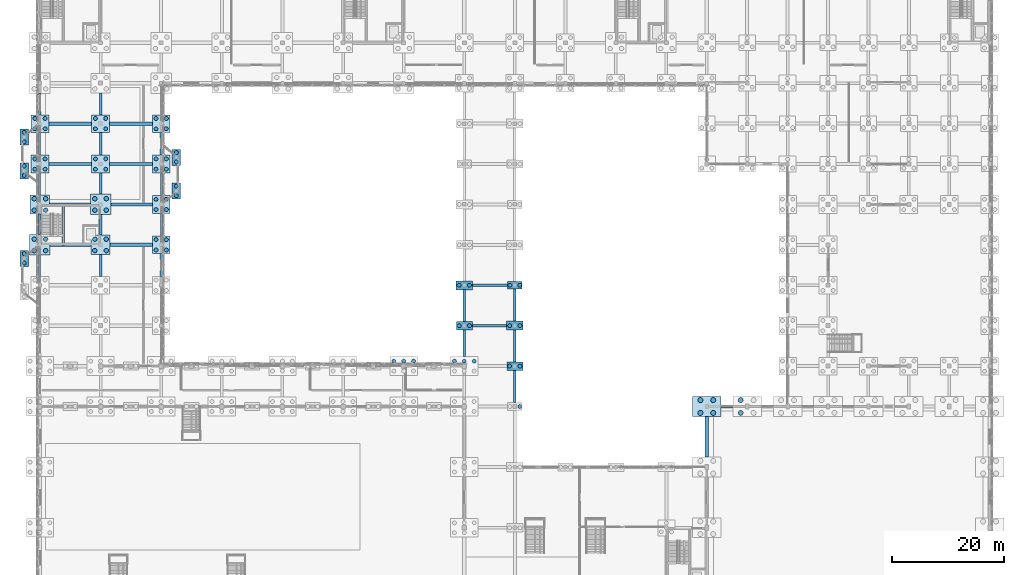
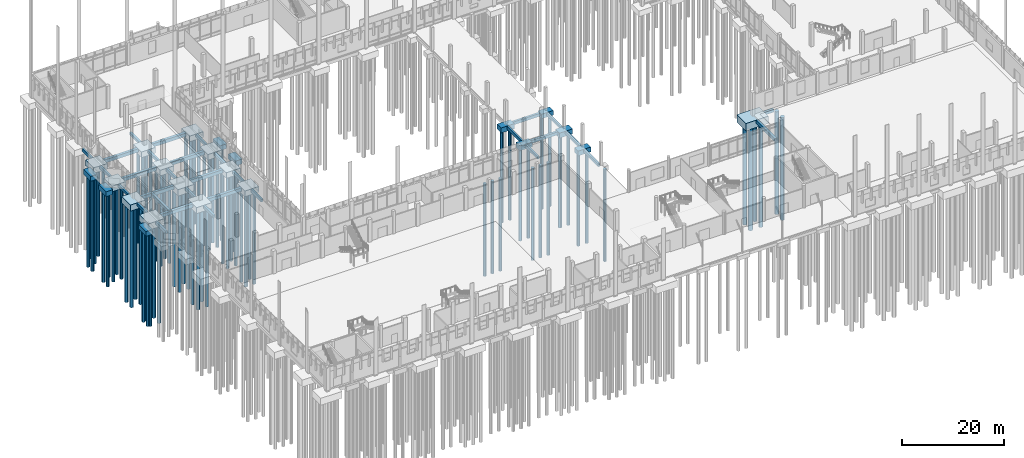
# One storey, part 4 of 109: 81 piles, 55 footings.
"""IFC4 building model written with IfcOpenShell, lengths in metres."""

from ifc_helpers import new_model, si_unit, direction, frame, origin, origin_2d, place, context, subcontext, project, spatial, rectangle, circle, extrude, material, material_profile, profile_set, type_object, element, save


model = new_model("IFC4")

# Units and contexts
model_context = context("Model", 3, precision=1e-05, world=origin(), true_north=direction((0.0, 1.0)))
body_context = subcontext(model_context, "Body", "Model", "MODEL_VIEW")
ifc_project = project(units=[si_unit("LENGTHUNIT", "METRE"), si_unit("AREAUNIT", "SQUARE_METRE"), si_unit("VOLUMEUNIT", "CUBIC_METRE"), si_unit("PLANEANGLEUNIT", "RADIAN"), si_unit("MASSUNIT", "GRAM", prefix="KILO")], contexts=[model_context])

# Site, building, storey
site_placement = place(None, origin())
site = spatial("IfcSite", under=ifc_project, at=site_placement, CompositionType="ELEMENT")
building_placement = place(site_placement, origin())
building = spatial("IfcBuilding", under=site, at=building_placement, Name="Lusvemor Sports Hall", CompositionType="ELEMENT")
storey_placement = place(building_placement, origin())
storey = spatial("IfcBuildingStorey", under=building, at=storey_placement, Name="L00", CompositionType="ELEMENT", Elevation=0.0)

# Footings
ifc_material_1 = material(Name="Concrete C40/50", Category="concrete")
ifc_material_profile_1 = material_profile(ifc_material_1, rectangle(XDim=0.449951171875, YDim=0.64990234375, at=origin_2d()), Name="GB_450x650")
ifc_profile_set_1 = profile_set([ifc_material_profile_1], Name="Concrete C40/50")
footing_type_1 = type_object("IfcFootingType", Name="GBEAM_450x650", PredefinedType="FOOTING_BEAM", material=ifc_profile_set_1)
footing_1_placement = place(storey_placement, frame((0.0, 62.77294921875, -0.625), z_axis=(0.0, 1.0, 0.0), x_axis=(-1.0, 0.0, 0.0)))
element("IfcFooting", 1, at=footing_1_placement, inside=storey, type_object=footing_type_1, Name="Ground Tie Beam 1:H-J", PredefinedType="FOOTING_BEAM", context=body_context, shape_type="SweptSolid", body=[
    extrude(rectangle(XDim=0.449951171875, YDim=0.64990234375, at=origin_2d()), origin(), (0.0, 0.0, 1.0), 3.803955078125),
])
footing_2_placement = place(storey_placement, frame((0.0, 70.222900390625, -0.625), z_axis=(0.0, 1.0, 0.0), x_axis=(-1.0, 0.0, 0.0)))
element("IfcFooting", 2, at=footing_2_placement, inside=storey, type_object=footing_type_1, Name="Ground Tie Beam 1:J-K", PredefinedType="FOOTING_BEAM", context=body_context, shape_type="SweptSolid", body=[
    extrude(rectangle(XDim=0.449951171875, YDim=0.64990234375, at=origin_2d()), origin(), (0.0, 0.0, 1.0), 3.654052734375),
])
footing_3_placement = place(storey_placement, frame((0.0, 77.322998046875, -0.625), z_axis=(0.0, 1.0, 0.0), x_axis=(-1.0, 0.0, 0.0)))
element("IfcFooting", 3, at=footing_3_placement, inside=storey, type_object=footing_type_1, Name="Ground Tie Beam 1:K-L", PredefinedType="FOOTING_BEAM", context=body_context, shape_type="SweptSolid", body=[
    extrude(rectangle(XDim=0.449951171875, YDim=0.64990234375, at=origin_2d()), origin(), (0.0, 0.0, 1.0), 3.904052734375),
])
footing_4_placement = place(storey_placement, frame((0.0, 84.373046875, -0.625), z_axis=(0.0, 1.0, 0.0), x_axis=(-1.0, 0.0, 0.0)))
element("IfcFooting", 4, at=footing_4_placement, inside=storey, type_object=footing_type_1, Name="Ground Tie Beam 1:L-M", PredefinedType="FOOTING_BEAM", context=body_context, shape_type="SweptSolid", body=[
    extrude(rectangle(XDim=0.449951171875, YDim=0.64990234375, at=origin_2d()), origin(), (0.0, 0.0, 1.0), 4.053955078125),
])
footing_5_placement = place(storey_placement, frame((0.0, 91.572998046875, -0.625), z_axis=(0.0, 1.0, 0.0), x_axis=(-1.0, 0.0, 0.0)))
element("IfcFooting", 5, at=footing_5_placement, inside=storey, type_object=footing_type_1, Name="Ground Tie Beam 1:M-N", PredefinedType="FOOTING_BEAM", context=body_context, shape_type="SweptSolid", body=[
    extrude(rectangle(XDim=0.449951171875, YDim=0.64990234375, at=origin_2d()), origin(), (0.0, 0.0, 1.0), 3.803955078125),
])
footing_6_placement = place(storey_placement, frame((10.800048828125, 62.77294921875, -0.625), z_axis=(0.0, 1.0, 0.0), x_axis=(-1.0, 0.0, 0.0)))
element("IfcFooting", 6, at=footing_6_placement, inside=storey, type_object=footing_type_1, Name="Ground Tie Beam 2:H-J", PredefinedType="FOOTING_BEAM", context=body_context, shape_type="SweptSolid", body=[
    extrude(rectangle(XDim=0.449951171875, YDim=0.64990234375, at=origin_2d()), origin(), (0.0, 0.0, 1.0), 3.904052734375),
])
footing_7_placement = place(storey_placement, frame((10.800048828125, 70.123046875, -0.625), z_axis=(0.0, 1.0, 0.0), x_axis=(-1.0, 0.0, 0.0)))
element("IfcFooting", 7, at=footing_7_placement, inside=storey, type_object=footing_type_1, Name="Ground Tie Beam 2:J-K", PredefinedType="FOOTING_BEAM", context=body_context, shape_type="SweptSolid", body=[
    extrude(rectangle(XDim=0.449951171875, YDim=0.64990234375, at=origin_2d()), origin(), (0.0, 0.0, 1.0), 3.654052734375),
])
footing_8_placement = place(storey_placement, frame((10.800048828125, 77.423095703125, -0.625), z_axis=(0.0, 1.0, 0.0), x_axis=(-1.0, 0.0, 0.0)))
element("IfcFooting", 8, at=footing_8_placement, inside=storey, type_object=footing_type_1, Name="Ground Tie Beam 2:K-L", PredefinedType="FOOTING_BEAM", context=body_context, shape_type="SweptSolid", body=[
    extrude(rectangle(XDim=0.449951171875, YDim=0.64990234375, at=origin_2d()), origin(), (0.0, 0.0, 1.0), 3.803955078125),
])
footing_9_placement = place(storey_placement, frame((10.800048828125, 84.373046875, -0.625), z_axis=(0.0, 1.0, 0.0), x_axis=(-1.0, 0.0, 0.0)))
element("IfcFooting", 9, at=footing_9_placement, inside=storey, type_object=footing_type_1, Name="Ground Tie Beam 2:L-M", PredefinedType="FOOTING_BEAM", context=body_context, shape_type="SweptSolid", body=[
    extrude(rectangle(XDim=0.449951171875, YDim=0.64990234375, at=origin_2d()), origin(), (0.0, 0.0, 1.0), 4.053955078125),
])
footing_10_placement = place(storey_placement, frame((10.800048828125, 91.572998046875, -0.625), z_axis=(0.0, 1.0, 0.0), x_axis=(-1.0, 0.0, 0.0)))
element("IfcFooting", 10, at=footing_10_placement, inside=storey, type_object=footing_type_1, Name="Ground Tie Beam 2:M-N", PredefinedType="FOOTING_BEAM", context=body_context, shape_type="SweptSolid", body=[
    extrude(rectangle(XDim=0.449951171875, YDim=0.64990234375, at=origin_2d()), origin(), (0.0, 0.0, 1.0), 3.904052734375),
])
footing_11_placement = place(storey_placement, frame((21.60009765625, 62.77294921875, -0.625), z_axis=(0.0, 1.0, 0.0), x_axis=(-1.0, 0.0, 0.0)))
element("IfcFooting", 11, at=footing_11_placement, inside=storey, type_object=footing_type_1, Name="Ground Tie Beam 3:H-J", PredefinedType="FOOTING_BEAM", context=body_context, shape_type="SweptSolid", body=[
    extrude(rectangle(XDim=0.449951171875, YDim=0.64990234375, at=origin_2d()), origin(), (0.0, 0.0, 1.0), 4.053955078125),
])
footing_12_placement = place(storey_placement, frame((21.60009765625, 69.972900390625, -0.625), z_axis=(0.0, 1.0, 0.0), x_axis=(-1.0, 0.0, 0.0)))
element("IfcFooting", 12, at=footing_12_placement, inside=storey, type_object=footing_type_1, Name="Ground Tie Beam 3:J-K", PredefinedType="FOOTING_BEAM", context=body_context, shape_type="SweptSolid", body=[
    extrude(rectangle(XDim=0.449951171875, YDim=0.64990234375, at=origin_2d()), origin(), (0.0, 0.0, 1.0), 4.05419921875),
])
for number, where, z_axis, x_axis, name in (
    (13, (21.60009765625, 77.173095703125, -0.625), (0.0, 1.0, 0.0), (-1.0, 0.0, 0.0), "Ground Tie Beam 3:K-L"),
    (14, (21.60009765625, 84.373046875, -0.625), (0.0, 1.0, 0.0), (-1.0, 0.0, 0.0), "Ground Tie Beam 3:L-M"),
):
    element("IfcFooting", number, at=place(storey_placement, frame(where, z_axis=z_axis, x_axis=x_axis)), inside=storey, type_object=footing_type_1, Name=name, PredefinedType="FOOTING_BEAM", context=body_context, shape_type="SweptSolid", body=[
        extrude(rectangle(XDim=0.449951171875, YDim=0.64990234375, at=origin_2d()), origin(), (0.0, 0.0, 1.0), 4.053955078125),
    ])
footing_13_placement = place(storey_placement, frame((75.60009765625, 48.472900390625, -0.625), z_axis=(0.0, 1.0, 0.0), x_axis=(-1.0, 0.0, 0.0)))
element("IfcFooting", 15, at=footing_13_placement, inside=storey, type_object=footing_type_1, Name="Ground Tie Beam 8:F-G", PredefinedType="FOOTING_BEAM", context=body_context, shape_type="SweptSolid", body=[
    extrude(rectangle(XDim=0.449951171875, YDim=0.64990234375, at=origin_2d()), origin(), (0.0, 0.0, 1.0), 4.779052734375),
])
footing_14_placement = place(storey_placement, frame((75.60009765625, 54.748046875, -0.625), z_axis=(0.0, 1.0, 0.0), x_axis=(-1.0, 0.0, 0.0)))
element("IfcFooting", 16, at=footing_14_placement, inside=storey, type_object=footing_type_1, Name="Ground Tie Beam 8:G-H", PredefinedType="FOOTING_BEAM", context=body_context, shape_type="SweptSolid", body=[
    extrude(rectangle(XDim=0.449951171875, YDim=0.64990234375, at=origin_2d()), origin(), (0.0, 0.0, 1.0), 5.654052734375),
])
footing_15_placement = place(storey_placement, frame((84.60009765625, 40.298095703125, -0.625), z_axis=(0.0, 1.0, 0.0), x_axis=(-1.0, 0.0, 0.0)))
element("IfcFooting", 17, at=footing_15_placement, inside=storey, type_object=footing_type_1, Name="Ground Tie Beam 9:E-F", PredefinedType="FOOTING_BEAM", context=body_context, shape_type="SweptSolid", body=[
    extrude(rectangle(XDim=0.449951171875, YDim=0.64990234375, at=origin_2d()), origin(), (0.0, 0.0, 1.0), 5.75390625),
])
footing_16_placement = place(storey_placement, frame((84.60009765625, 47.548095703125, -0.625), z_axis=(0.0, 1.0, 0.0), x_axis=(-1.0, 0.0, 0.0)))
element("IfcFooting", 18, at=footing_16_placement, inside=storey, type_object=footing_type_1, Name="Ground Tie Beam 9:F-G", PredefinedType="FOOTING_BEAM", context=body_context, shape_type="SweptSolid", body=[
    extrude(rectangle(XDim=0.449951171875, YDim=0.64990234375, at=origin_2d()), origin(), (0.0, 0.0, 1.0), 5.65380859375),
])
footing_17_placement = place(storey_placement, frame((84.60009765625, 54.798095703125, -0.625), z_axis=(0.0, 1.0, 0.0), x_axis=(-1.0, 0.0, 0.0)))
element("IfcFooting", 19, at=footing_17_placement, inside=storey, type_object=footing_type_1, Name="Ground Tie Beam 9:G-H", PredefinedType="FOOTING_BEAM", context=body_context, shape_type="SweptSolid", body=[
    extrude(rectangle(XDim=0.449951171875, YDim=0.64990234375, at=origin_2d()), origin(), (0.0, 0.0, 1.0), 5.703857421875),
])
ifc_material_2 = material(Name="Concrete C40/50", Category="concrete")
ifc_material_profile_2 = material_profile(ifc_material_2, rectangle(XDim=0.5, YDim=0.699951171875, at=origin_2d()), Name="GB_500x700")
ifc_profile_set_2 = profile_set([ifc_material_profile_2], Name="Concrete C40/50")
footing_type_2 = type_object("IfcFootingType", Name="GBEAM_500x700", PredefinedType="FOOTING_BEAM", material=ifc_profile_set_2)
footing_18_placement = place(storey_placement, frame((121.347900390625, 39.60009765625, -0.64990234375), z_axis=(1.0, 0.0, 0.0), x_axis=(0.0, 1.0, 0.0)))
element("IfcFooting", 20, at=footing_18_placement, inside=storey, type_object=footing_type_2, Name="Ground Tie Beam E:13-14", PredefinedType="FOOTING_BEAM", context=body_context, shape_type="SweptSolid", body=[
    extrude(rectangle(XDim=0.5, YDim=0.699951171875, at=origin_2d()), origin(), (0.0, 0.0, 1.0), 2.10400390625),
])
footing_19_placement = place(storey_placement, frame((77.02294921875, 54.0, -0.64990234375), z_axis=(1.0, 0.0, 0.0), x_axis=(0.0, 1.0, 0.0)))
element("IfcFooting", 21, at=footing_19_placement, inside=storey, type_object=footing_type_2, Name="Ground Tie Beam G:8-9", PredefinedType="FOOTING_BEAM", context=body_context, shape_type="SweptSolid", body=[
    extrude(rectangle(XDim=0.5, YDim=0.699951171875, at=origin_2d()), origin(), (0.0, 0.0, 1.0), 6.10400390625),
])
footing_20_placement = place(storey_placement, frame((77.072998046875, 61.199951171875, -0.64990234375), z_axis=(1.0, 0.0, 0.0), x_axis=(0.0, 1.0, 0.0)))
element("IfcFooting", 22, at=footing_20_placement, inside=storey, type_object=footing_type_2, Name="Ground Tie Beam H:8-9", PredefinedType="FOOTING_BEAM", context=body_context, shape_type="SweptSolid", body=[
    extrude(rectangle(XDim=0.5, YDim=0.699951171875, at=origin_2d()), origin(), (0.0, 0.0, 1.0), 6.2041015625),
])
footing_21_placement = place(storey_placement, frame((4.14990234375, 68.39990234375, -0.64990234375), z_axis=(0.0, 1.0, 0.0), x_axis=(-1.0, 0.0, 0.0)))
element("IfcFooting", 23, at=footing_21_placement, inside=storey, type_object=footing_type_2, Name="Core C3 West-Central Divider Ground Beam", PredefinedType="FOOTING_BEAM", context=body_context, shape_type="SweptSolid", body=[
    extrude(rectangle(XDim=0.5, YDim=0.699951171875, at=origin_2d()), origin(), (0.0, 0.0, 1.0), 7.2001953125),
])
ifc_material_3 = material(Name="Concrete C40/50", Category="concrete")
ifc_material_profile_3 = material_profile(ifc_material_3, rectangle(XDim=0.550048828125, YDim=0.75, at=origin_2d()), Name="GB_550x750")
ifc_profile_set_3 = profile_set([ifc_material_profile_3], Name="Concrete C40/50")
footing_type_3 = type_object("IfcFootingType", Name="GBEAM_550x750", PredefinedType="FOOTING_BEAM", material=ifc_profile_set_3)
footing_22_placement = place(storey_placement, frame((118.800048828125, 30.572998046875, -0.675048828125), z_axis=(0.0, 1.0, 0.0), x_axis=(-1.0, 0.0, 0.0)))
element("IfcFooting", 24, at=footing_22_placement, inside=storey, type_object=footing_type_3, Name="Ground Tie Beam 13:D-E", PredefinedType="FOOTING_BEAM", context=body_context, shape_type="SweptSolid", body=[
    extrude(rectangle(XDim=0.550048828125, YDim=0.75, at=origin_2d()), origin(), (0.0, 0.0, 1.0), 7.25390625),
])
ifc_material_4 = material(Name="Concrete C40/50", Category="concrete")
ifc_material_profile_4 = material_profile(ifc_material_4, rectangle(XDim=0.60009765625, YDim=0.800048828125, at=origin_2d()), Name="GB_600x800")
ifc_profile_set_4 = profile_set([ifc_material_profile_4], Name="Concrete C40/50")
footing_type_4 = type_object("IfcFootingType", Name="GBEAM_600x800", PredefinedType="FOOTING_BEAM", material=ifc_profile_set_4)
footing_23_placement = place(storey_placement, frame((1.822998046875, 68.39990234375, -0.699951171875), z_axis=(1.0, 0.0, 0.0), x_axis=(0.0, 1.0, 0.0)))
element("IfcFooting", 25, at=footing_23_placement, inside=storey, type_object=footing_type_4, Name="Ground Tie Beam J:1-2", PredefinedType="FOOTING_BEAM", context=body_context, shape_type="SweptSolid", body=[
    extrude(rectangle(XDim=0.60009765625, YDim=0.800048828125, at=origin_2d()), origin(), (0.0, 0.0, 1.0), 7.25390625),
])
footing_24_placement = place(storey_placement, frame((12.52294921875, 68.39990234375, -0.699951171875), z_axis=(1.0, 0.0, 0.0), x_axis=(0.0, 1.0, 0.0)))
element("IfcFooting", 26, at=footing_24_placement, inside=storey, type_object=footing_type_4, Name="Ground Tie Beam J:2-3", PredefinedType="FOOTING_BEAM", context=body_context, shape_type="SweptSolid", body=[
    extrude(rectangle(XDim=0.60009765625, YDim=0.800048828125, at=origin_2d()), origin(), (0.0, 0.0, 1.0), 7.504150390625),
])
footing_25_placement = place(storey_placement, frame((1.722900390625, 75.60009765625, -0.699951171875), z_axis=(1.0, 0.0, 0.0), x_axis=(0.0, 1.0, 0.0)))
element("IfcFooting", 27, at=footing_25_placement, inside=storey, type_object=footing_type_4, Name="Ground Tie Beam K:1-2", PredefinedType="FOOTING_BEAM", context=body_context, shape_type="SweptSolid", body=[
    extrude(rectangle(XDim=0.60009765625, YDim=0.800048828125, at=origin_2d()), origin(), (0.0, 0.0, 1.0), 7.254150390625),
])
footing_26_placement = place(storey_placement, frame((12.623046875, 75.60009765625, -0.699951171875), z_axis=(1.0, 0.0, 0.0), x_axis=(0.0, 1.0, 0.0)))
element("IfcFooting", 28, at=footing_26_placement, inside=storey, type_object=footing_type_4, Name="Ground Tie Beam K:2-3", PredefinedType="FOOTING_BEAM", context=body_context, shape_type="SweptSolid", body=[
    extrude(rectangle(XDim=0.60009765625, YDim=0.800048828125, at=origin_2d()), origin(), (0.0, 0.0, 1.0), 7.404052734375),
])
for number, where, z_axis, x_axis, name in (
    (29, (1.572998046875, 82.800048828125, -0.699951171875), (1.0, 0.0, 0.0), (0.0, 1.0, 0.0), "Ground Tie Beam L:1-2"),
    (30, (12.373046875, 82.800048828125, -0.699951171875), (1.0, 0.0, 0.0), (0.0, 1.0, 0.0), "Ground Tie Beam L:2-3"),
    (31, (1.572998046875, 90.0, -0.699951171875), (1.0, 0.0, 0.0), (0.0, 1.0, 0.0), "Ground Tie Beam M:1-2"),
    (32, (12.373046875, 90.0, -0.699951171875), (1.0, 0.0, 0.0), (0.0, 1.0, 0.0), "Ground Tie Beam M:2-3"),
):
    element("IfcFooting", number, at=place(storey_placement, frame(where, z_axis=z_axis, x_axis=x_axis)), inside=storey, type_object=footing_type_4, Name=name, PredefinedType="FOOTING_BEAM", context=body_context, shape_type="SweptSolid", body=[
        extrude(rectangle(XDim=0.60009765625, YDim=0.800048828125, at=origin_2d()), origin(), (0.0, 0.0, 1.0), 7.654052734375),
    ])
ifc_material_5 = material(Name="Concrete C40/50", Category="concrete")
footing_type_5 = type_object("IfcFootingType", Name="PCAP_2P_A", PredefinedType="PILE_CAP", material=ifc_material_5)
footing_27_placement = place(storey_placement, frame((84.60009765625, 61.199951171875, -1.400146484375), z_axis=(0.0, 0.0, 1.0), x_axis=(1.0, 0.0, 0.0)))
element("IfcFooting", 33, at=footing_27_placement, inside=storey, type_object=footing_type_5, Name="Pile Cap 9/H", PredefinedType="PILE_CAP", context=body_context, shape_type="SweptSolid", body=[
    extrude(rectangle(XDim=2.64990234375, YDim=1.39990234375, at=origin_2d()), origin(), (0.0, 0.0, 1.0), 1.10009765625),
])
ifc_material_6 = material(Name="Concrete C40/50", Category="concrete")
footing_type_6 = type_object("IfcFootingType", Name="PCAP_2P_B", PredefinedType="PILE_CAP", material=ifc_material_6)
for number, where, z_axis, x_axis, name in (
    (34, (75.60009765625, 54.0, -1.449951171875), (0.0, 0.0, 1.0), (1.0, 0.0, 0.0), "Pile Cap 8/G"),
    (35, (84.60009765625, 46.800048828125, -1.449951171875), (0.0, 0.0, 1.0), (1.0, 0.0, 0.0), "Pile Cap 9/F"),
):
    element("IfcFooting", number, at=place(storey_placement, frame(where, z_axis=z_axis, x_axis=x_axis)), inside=storey, type_object=footing_type_6, Name=name, PredefinedType="PILE_CAP", context=body_context, shape_type="SweptSolid", body=[
        extrude(rectangle(XDim=2.85009765625, YDim=1.5, at=origin_2d()), origin(), (0.0, 0.0, 1.0), 1.14990234375),
    ])
ifc_material_7 = material(Name="Concrete C40/50", Category="concrete")
footing_type_7 = type_object("IfcFootingType", Name="PCAP_2P_C", PredefinedType="PILE_CAP", material=ifc_material_7)
for number, where, z_axis, x_axis, name in (
    (36, (75.60009765625, 61.199951171875, -1.5), (0.0, 0.0, 1.0), (1.0, 0.0, 0.0), "Pile Cap 8/H"),
    (37, (84.60009765625, 54.0, -1.5), (0.0, 0.0, 1.0), (1.0, 0.0, 0.0), "Pile Cap 9/G"),
):
    element("IfcFooting", number, at=place(storey_placement, frame(where, z_axis=z_axis, x_axis=x_axis)), inside=storey, type_object=footing_type_7, Name=name, PredefinedType="PILE_CAP", context=body_context, shape_type="SweptSolid", body=[
        extrude(rectangle(XDim=2.949951171875, YDim=1.60009765625, at=origin_2d()), origin(), (0.0, 0.0, 1.0), 1.199951171875),
    ])
ifc_material_8 = material(Name="Concrete C40/50", Category="concrete")
footing_type_8 = type_object("IfcFootingType", Name="PCAP_2P_NS", PredefinedType="PILE_CAP", material=ifc_material_8)
for number, where, z_axis, x_axis, name in (
    (38, (-2.800048828125, 66.0, -1.449951171875), (0.0, 0.0, 1.0), (1.0, 0.0, 0.0), "Bow Pavilion Cap BOW-W1-2"),
    (39, (-2.800048828125, 81.60009765625, -1.449951171875), (0.0, 0.0, 1.0), (1.0, 0.0, 0.0), "Bow Pavilion Cap BOW-W2-1"),
    (40, (-2.800048828125, 87.60009765625, -1.449951171875), (0.0, 0.0, 1.0), (1.0, 0.0, 0.0), "Bow Pavilion Cap BOW-W2-2"),
    (41, (24.300048828125, 84.0, -1.449951171875), (0.0, 0.0, 1.0), (1.0, 0.0, 0.0), "Bow Pavilion Cap BOW-CT-1"),
    (42, (24.300048828125, 78.0, -1.449951171875), (0.0, 0.0, 1.0), (1.0, 0.0, 0.0), "Bow Pavilion Cap BOW-CT-2"),
):
    element("IfcFooting", number, at=place(storey_placement, frame(where, z_axis=z_axis, x_axis=x_axis)), inside=storey, type_object=footing_type_8, Name=name, PredefinedType="PILE_CAP", context=body_context, shape_type="SweptSolid", body=[
        extrude(rectangle(XDim=1.5, YDim=2.85009765625, at=origin_2d()), origin(), (0.0, 0.0, 1.0), 1.14990234375),
    ])
ifc_material_9 = material(Name="Concrete C40/50", Category="concrete")
footing_type_9 = type_object("IfcFootingType", Name="PCAP_4P_A", PredefinedType="PILE_CAP", material=ifc_material_9)
for number, where, z_axis, x_axis, name in (
    (43, (0.0, 82.800048828125, -1.650146484375), (0.0, 0.0, 1.0), (1.0, 0.0, 0.0), "Pile Cap 1/L"),
    (44, (0.0, 90.0, -1.650146484375), (0.0, 0.0, 1.0), (1.0, 0.0, 0.0), "Pile Cap 1/M"),
    (45, (10.800048828125, 82.800048828125, -1.650146484375), (0.0, 0.0, 1.0), (1.0, 0.0, 0.0), "Pile Cap 2/L"),
    (46, (10.800048828125, 90.0, -1.650146484375), (0.0, 0.0, 1.0), (1.0, 0.0, 0.0), "Pile Cap 2/M"),
    (47, (21.60009765625, 68.39990234375, -1.650146484375), (0.0, 0.0, 1.0), (1.0, 0.0, 0.0), "Pile Cap 3/J"),
    (48, (21.60009765625, 75.60009765625, -1.650146484375), (0.0, 0.0, 1.0), (1.0, 0.0, 0.0), "Pile Cap 3/K"),
    (49, (21.60009765625, 82.800048828125, -1.650146484375), (0.0, 0.0, 1.0), (1.0, 0.0, 0.0), "Pile Cap 3/L"),
    (50, (21.60009765625, 90.0, -1.650146484375), (0.0, 0.0, 1.0), (1.0, 0.0, 0.0), "Pile Cap 3/M"),
):
    element("IfcFooting", number, at=place(storey_placement, frame(where, z_axis=z_axis, x_axis=x_axis)), inside=storey, type_object=footing_type_9, Name=name, PredefinedType="PILE_CAP", context=body_context, shape_type="SweptSolid", body=[
        extrude(rectangle(XDim=3.14990234375, YDim=3.14990234375, at=origin_2d()), origin(), (0.0, 0.0, 1.0), 1.35009765625),
    ])
ifc_material_10 = material(Name="Concrete C40/50", Category="concrete")
footing_type_10 = type_object("IfcFootingType", Name="PCAP_4P_B", PredefinedType="PILE_CAP", material=ifc_material_10)
for number, where, z_axis, x_axis, name in (
    (51, (0.0, 75.60009765625, -1.75), (0.0, 0.0, 1.0), (1.0, 0.0, 0.0), "Pile Cap 1/K"),
    (52, (10.800048828125, 68.39990234375, -1.75), (0.0, 0.0, 1.0), (1.0, 0.0, 0.0), "Pile Cap 2/J"),
):
    element("IfcFooting", number, at=place(storey_placement, frame(where, z_axis=z_axis, x_axis=x_axis)), inside=storey, type_object=footing_type_10, Name=name, PredefinedType="PILE_CAP", context=body_context, shape_type="SweptSolid", body=[
        extrude(rectangle(XDim=3.449951171875, YDim=3.449951171875, at=origin_2d()), origin(), (0.0, 0.0, 1.0), 1.449951171875),
    ])
ifc_material_11 = material(Name="Concrete C40/50", Category="concrete")
footing_type_11 = type_object("IfcFootingType", Name="PCAP_4P_C", PredefinedType="PILE_CAP", material=ifc_material_11)
for number, where, z_axis, x_axis, name in (
    (53, (0.0, 68.39990234375, -1.85009765625), (0.0, 0.0, 1.0), (1.0, 0.0, 0.0), "Pile Cap 1/J"),
    (54, (10.800048828125, 75.60009765625, -1.85009765625), (0.0, 0.0, 1.0), (1.0, 0.0, 0.0), "Pile Cap 2/K"),
):
    element("IfcFooting", number, at=place(storey_placement, frame(where, z_axis=z_axis, x_axis=x_axis)), inside=storey, type_object=footing_type_11, Name=name, PredefinedType="PILE_CAP", context=body_context, shape_type="SweptSolid", body=[
        extrude(rectangle(XDim=3.64990234375, YDim=3.64990234375, at=origin_2d()), origin(), (0.0, 0.0, 1.0), 1.550048828125),
    ])
ifc_material_12 = material(Name="Concrete C40/50", Category="concrete")
footing_type_12 = type_object("IfcFootingType", Name="PCAP_4P_PT", PredefinedType="PILE_CAP", material=ifc_material_12)
footing_28_placement = place(storey_placement, frame((118.800048828125, 39.60009765625, -2.050048828125), z_axis=(0.0, 0.0, 1.0), x_axis=(1.0, 0.0, 0.0)))
element("IfcFooting", 55, at=footing_28_placement, inside=storey, type_object=footing_type_12, Name="Pile Cap 13/E", PredefinedType="PILE_CAP", context=body_context, shape_type="SweptSolid", body=[
    extrude(rectangle(XDim=5.10009765625, YDim=3.550048828125, at=origin_2d()), origin(), (0.0, 0.0, 1.0), 1.75),
])

# Piles
ifc_material_13 = material(Name="Concrete C40/50", Category="concrete")
ifc_material_profile_5 = material_profile(ifc_material_13, circle(Radius=0.35009765625, at=origin_2d()), Name="PILE700")
ifc_profile_set_5 = profile_set([ifc_material_profile_5], Name="Concrete C40/50")
pile_type_1 = type_object("IfcPileType", Name="PILE_BORED_700", PredefinedType="BORED", material=ifc_profile_set_5)
for number, where, z_axis, x_axis, name in (
    (56, (-0.919921875, 81.8798828125, -1.550048828125), (0.0, 0.0, -1.0), (1.0, 0.0, 0.0), "Bored Pile 1/L-1"),
    (57, (0.919921875, 81.8798828125, -1.550048828125), (0.0, 0.0, -1.0), (1.0, 0.0, 0.0), "Bored Pile 1/L-2"),
    (58, (-0.919921875, 83.719970703125, -1.550048828125), (0.0, 0.0, -1.0), (1.0, 0.0, 0.0), "Bored Pile 1/L-3"),
    (59, (0.919921875, 83.719970703125, -1.550048828125), (0.0, 0.0, -1.0), (1.0, 0.0, 0.0), "Bored Pile 1/L-4"),
    (60, (-0.919921875, 89.080078125, -1.550048828125), (0.0, 0.0, -1.0), (1.0, 0.0, 0.0), "Bored Pile 1/M-1"),
    (61, (0.919921875, 89.080078125, -1.550048828125), (0.0, 0.0, -1.0), (1.0, 0.0, 0.0), "Bored Pile 1/M-2"),
    (62, (-0.919921875, 90.919921875, -1.550048828125), (0.0, 0.0, -1.0), (1.0, 0.0, 0.0), "Bored Pile 1/M-3"),
    (63, (0.919921875, 90.919921875, -1.550048828125), (0.0, 0.0, -1.0), (1.0, 0.0, 0.0), "Bored Pile 1/M-4"),
    (64, (9.8798828125, 81.8798828125, -1.550048828125), (0.0, 0.0, -1.0), (1.0, 0.0, 0.0), "Bored Pile 2/L-1"),
    (65, (11.719970703125, 81.8798828125, -1.550048828125), (0.0, 0.0, -1.0), (1.0, 0.0, 0.0), "Bored Pile 2/L-2"),
    (66, (9.8798828125, 83.719970703125, -1.550048828125), (0.0, 0.0, -1.0), (1.0, 0.0, 0.0), "Bored Pile 2/L-3"),
    (67, (11.719970703125, 83.719970703125, -1.550048828125), (0.0, 0.0, -1.0), (1.0, 0.0, 0.0), "Bored Pile 2/L-4"),
    (68, (9.8798828125, 89.080078125, -1.550048828125), (0.0, 0.0, -1.0), (1.0, 0.0, 0.0), "Bored Pile 2/M-1"),
    (69, (11.719970703125, 89.080078125, -1.550048828125), (0.0, 0.0, -1.0), (1.0, 0.0, 0.0), "Bored Pile 2/M-2"),
    (70, (9.8798828125, 90.919921875, -1.550048828125), (0.0, 0.0, -1.0), (1.0, 0.0, 0.0), "Bored Pile 2/M-3"),
    (71, (11.719970703125, 90.919921875, -1.550048828125), (0.0, 0.0, -1.0), (1.0, 0.0, 0.0), "Bored Pile 2/M-4"),
    (72, (20.679931640625, 67.47998046875, -1.550048828125), (0.0, 0.0, -1.0), (1.0, 0.0, 0.0), "Bored Pile 3/J-1"),
    (73, (22.52001953125, 67.47998046875, -1.550048828125), (0.0, 0.0, -1.0), (1.0, 0.0, 0.0), "Bored Pile 3/J-2"),
    (74, (20.679931640625, 69.320068359375, -1.550048828125), (0.0, 0.0, -1.0), (1.0, 0.0, 0.0), "Bored Pile 3/J-3"),
    (75, (22.52001953125, 69.320068359375, -1.550048828125), (0.0, 0.0, -1.0), (1.0, 0.0, 0.0), "Bored Pile 3/J-4"),
    (76, (20.679931640625, 74.679931640625, -1.550048828125), (0.0, 0.0, -1.0), (1.0, 0.0, 0.0), "Bored Pile 3/K-1"),
    (77, (22.52001953125, 74.679931640625, -1.550048828125), (0.0, 0.0, -1.0), (1.0, 0.0, 0.0), "Bored Pile 3/K-2"),
    (78, (20.679931640625, 76.52001953125, -1.550048828125), (0.0, 0.0, -1.0), (1.0, 0.0, 0.0), "Bored Pile 3/K-3"),
    (79, (22.52001953125, 76.52001953125, -1.550048828125), (0.0, 0.0, -1.0), (1.0, 0.0, 0.0), "Bored Pile 3/K-4"),
    (80, (20.679931640625, 81.8798828125, -1.550048828125), (0.0, 0.0, -1.0), (1.0, 0.0, 0.0), "Bored Pile 3/L-1"),
    (81, (22.52001953125, 81.8798828125, -1.550048828125), (0.0, 0.0, -1.0), (1.0, 0.0, 0.0), "Bored Pile 3/L-2"),
    (82, (20.679931640625, 83.719970703125, -1.550048828125), (0.0, 0.0, -1.0), (1.0, 0.0, 0.0), "Bored Pile 3/L-3"),
    (83, (22.52001953125, 83.719970703125, -1.550048828125), (0.0, 0.0, -1.0), (1.0, 0.0, 0.0), "Bored Pile 3/L-4"),
    (84, (20.679931640625, 89.080078125, -1.550048828125), (0.0, 0.0, -1.0), (1.0, 0.0, 0.0), "Bored Pile 3/M-1"),
    (85, (22.52001953125, 89.080078125, -1.550048828125), (0.0, 0.0, -1.0), (1.0, 0.0, 0.0), "Bored Pile 3/M-2"),
    (86, (20.679931640625, 90.919921875, -1.550048828125), (0.0, 0.0, -1.0), (1.0, 0.0, 0.0), "Bored Pile 3/M-3"),
    (87, (22.52001953125, 90.919921875, -1.550048828125), (0.0, 0.0, -1.0), (1.0, 0.0, 0.0), "Bored Pile 3/M-4"),
    (88, (63.0400390625, 47.679931640625, -1.85009765625), (0.0, 0.0, -1.0), (1.0, 0.0, 0.0), "Bored Pile 7/F-4"),
    (89, (64.800048828125, 47.679931640625, -1.85009765625), (0.0, 0.0, -1.0), (1.0, 0.0, 0.0), "Bored Pile 7/F-5"),
    (90, (66.56005859375, 47.679931640625, -1.85009765625), (0.0, 0.0, -1.0), (1.0, 0.0, 0.0), "Bored Pile 7/F-6"),
    (91, (73.840087890625, 47.679931640625, -1.85009765625), (0.0, 0.0, -1.0), (1.0, 0.0, 0.0), "Bored Pile 8/F-4"),
    (92, (75.60009765625, 47.679931640625, -1.85009765625), (0.0, 0.0, -1.0), (1.0, 0.0, 0.0), "Bored Pile 8/F-5"),
    (93, (77.360107421875, 47.679931640625, -1.85009765625), (0.0, 0.0, -1.0), (1.0, 0.0, 0.0), "Bored Pile 8/F-6"),
    (94, (74.679931640625, 54.0, -1.35009765625), (0.0, 0.0, -1.0), (1.0, 0.0, 0.0), "Bored Pile 8/G-1"),
    (95, (76.52001953125, 54.0, -1.35009765625), (0.0, 0.0, -1.0), (1.0, 0.0, 0.0), "Bored Pile 8/G-2"),
    (96, (74.679931640625, 61.199951171875, -1.39990234375), (0.0, 0.0, -1.0), (1.0, 0.0, 0.0), "Bored Pile 8/H-1"),
    (97, (76.52001953125, 61.199951171875, -1.39990234375), (0.0, 0.0, -1.0), (1.0, 0.0, 0.0), "Bored Pile 8/H-2"),
    (98, (85.47998046875, 39.60009765625, -1.300048828125), (0.0, 0.0, -1.0), (1.0, 0.0, 0.0), "Bored Pile 9/E-2"),
    (99, (83.679931640625, 46.800048828125, -1.35009765625), (0.0, 0.0, -1.0), (1.0, 0.0, 0.0), "Bored Pile 9/F-1"),
    (100, (85.52001953125, 46.800048828125, -1.35009765625), (0.0, 0.0, -1.0), (1.0, 0.0, 0.0), "Bored Pile 9/F-2"),
    (101, (83.679931640625, 54.0, -1.39990234375), (0.0, 0.0, -1.0), (1.0, 0.0, 0.0), "Bored Pile 9/G-1"),
    (102, (85.52001953125, 54.0, -1.39990234375), (0.0, 0.0, -1.0), (1.0, 0.0, 0.0), "Bored Pile 9/G-2"),
    (103, (83.719970703125, 61.199951171875, -1.300048828125), (0.0, 0.0, -1.0), (1.0, 0.0, 0.0), "Bored Pile 9/H-1"),
    (104, (85.47998046875, 61.199951171875, -1.300048828125), (0.0, 0.0, -1.0), (1.0, 0.0, 0.0), "Bored Pile 9/H-2"),
    (105, (-2.800048828125, 65.14990234375, -1.35009765625), (0.0, 0.0, -1.0), (1.0, 0.0, 0.0), "Bow Pavilion Pile BOW-W1-2-1"),
    (106, (-2.800048828125, 66.85009765625, -1.35009765625), (0.0, 0.0, -1.0), (1.0, 0.0, 0.0), "Bow Pavilion Pile BOW-W1-2-2"),
    (107, (-2.800048828125, 80.75, -1.35009765625), (0.0, 0.0, -1.0), (1.0, 0.0, 0.0), "Bow Pavilion Pile BOW-W2-1-1"),
    (108, (-2.800048828125, 82.449951171875, -1.35009765625), (0.0, 0.0, -1.0), (1.0, 0.0, 0.0), "Bow Pavilion Pile BOW-W2-1-2"),
    (109, (-2.800048828125, 86.75, -1.35009765625), (0.0, 0.0, -1.0), (1.0, 0.0, 0.0), "Bow Pavilion Pile BOW-W2-2-1"),
    (110, (-2.800048828125, 88.449951171875, -1.35009765625), (0.0, 0.0, -1.0), (1.0, 0.0, 0.0), "Bow Pavilion Pile BOW-W2-2-2"),
    (111, (24.300048828125, 83.14990234375, -1.35009765625), (0.0, 0.0, -1.0), (1.0, 0.0, 0.0), "Bow Pavilion Pile BOW-CT-1-1"),
    (112, (24.300048828125, 84.85009765625, -1.35009765625), (0.0, 0.0, -1.0), (1.0, 0.0, 0.0), "Bow Pavilion Pile BOW-CT-1-2"),
    (113, (24.300048828125, 77.14990234375, -1.35009765625), (0.0, 0.0, -1.0), (1.0, 0.0, 0.0), "Bow Pavilion Pile BOW-CT-2-1"),
    (114, (24.300048828125, 78.85009765625, -1.35009765625), (0.0, 0.0, -1.0), (1.0, 0.0, 0.0), "Bow Pavilion Pile BOW-CT-2-2"),
):
    element("IfcPile", number, at=place(storey_placement, frame(where, z_axis=z_axis, x_axis=x_axis)), inside=storey, type_object=pile_type_1, Name=name, PredefinedType="BORED", context=body_context, shape_type="SweptSolid", body=[
        extrude(circle(Radius=0.35009765625, at=origin_2d()), origin(), (0.0, 0.0, 1.0), 22.0),
    ])
ifc_material_14 = material(Name="Concrete C40/50", Category="concrete")
ifc_material_profile_6 = material_profile(ifc_material_14, circle(Radius=0.39990234375, at=origin_2d()), Name="PILE800")
ifc_profile_set_6 = profile_set([ifc_material_profile_6], Name="Concrete C40/50")
pile_type_2 = type_object("IfcPileType", Name="PILE_BORED_800", PredefinedType="BORED", material=ifc_profile_set_6)
for number, where, z_axis, x_axis, name in (
    (115, (-1.02001953125, 67.3798828125, -1.75), (0.0, 0.0, -1.0), (1.0, 0.0, 0.0), "Bored Pile 1/J-1"),
    (116, (1.02001953125, 67.3798828125, -1.75), (0.0, 0.0, -1.0), (1.0, 0.0, 0.0), "Bored Pile 1/J-2"),
    (117, (-1.02001953125, 69.419921875, -1.75), (0.0, 0.0, -1.0), (1.0, 0.0, 0.0), "Bored Pile 1/J-3"),
    (118, (1.02001953125, 69.419921875, -1.75), (0.0, 0.0, -1.0), (1.0, 0.0, 0.0), "Bored Pile 1/J-4"),
    (119, (-1.02001953125, 74.580078125, -1.64990234375), (0.0, 0.0, -1.0), (1.0, 0.0, 0.0), "Bored Pile 1/K-1"),
    (120, (1.02001953125, 74.580078125, -1.64990234375), (0.0, 0.0, -1.0), (1.0, 0.0, 0.0), "Bored Pile 1/K-2"),
    (121, (-1.02001953125, 76.6201171875, -1.64990234375), (0.0, 0.0, -1.0), (1.0, 0.0, 0.0), "Bored Pile 1/K-3"),
    (122, (1.02001953125, 76.6201171875, -1.64990234375), (0.0, 0.0, -1.0), (1.0, 0.0, 0.0), "Bored Pile 1/K-4"),
    (123, (9.780029296875, 67.3798828125, -1.64990234375), (0.0, 0.0, -1.0), (1.0, 0.0, 0.0), "Bored Pile 2/J-1"),
    (124, (11.820068359375, 67.3798828125, -1.64990234375), (0.0, 0.0, -1.0), (1.0, 0.0, 0.0), "Bored Pile 2/J-2"),
    (125, (9.780029296875, 69.419921875, -1.64990234375), (0.0, 0.0, -1.0), (1.0, 0.0, 0.0), "Bored Pile 2/J-3"),
    (126, (11.820068359375, 69.419921875, -1.64990234375), (0.0, 0.0, -1.0), (1.0, 0.0, 0.0), "Bored Pile 2/J-4"),
    (127, (9.780029296875, 74.580078125, -1.75), (0.0, 0.0, -1.0), (1.0, 0.0, 0.0), "Bored Pile 2/K-1"),
    (128, (11.820068359375, 74.580078125, -1.75), (0.0, 0.0, -1.0), (1.0, 0.0, 0.0), "Bored Pile 2/K-2"),
    (129, (9.780029296875, 76.6201171875, -1.75), (0.0, 0.0, -1.0), (1.0, 0.0, 0.0), "Bored Pile 2/K-3"),
    (130, (11.820068359375, 76.6201171875, -1.75), (0.0, 0.0, -1.0), (1.0, 0.0, 0.0), "Bored Pile 2/K-4"),
):
    element("IfcPile", number, at=place(storey_placement, frame(where, z_axis=z_axis, x_axis=x_axis)), inside=storey, type_object=pile_type_2, Name=name, PredefinedType="BORED", context=body_context, shape_type="SweptSolid", body=[
        extrude(circle(Radius=0.39990234375, at=origin_2d()), origin(), (0.0, 0.0, 1.0), 23.5),
    ])
ifc_material_15 = material(Name="Concrete C40/50", Category="concrete")
ifc_material_profile_7 = material_profile(ifc_material_15, circle(Radius=0.449951171875, at=origin_2d()), Name="PILE900")
ifc_profile_set_7 = profile_set([ifc_material_profile_7], Name="Concrete C40/50")
pile_type_3 = type_object("IfcPileType", Name="PILE_BORED_900", PredefinedType="BORED", material=ifc_profile_set_7)
for number, where, z_axis, x_axis, name in (
    (131, (117.64990234375, 38.47509765625, -1.949951171875), (0.0, 0.0, -1.0), (1.0, 0.0, 0.0), "Bored Pile 13/E-1"),
    (132, (119.949951171875, 38.47509765625, -1.949951171875), (0.0, 0.0, -1.0), (1.0, 0.0, 0.0), "Bored Pile 13/E-2"),
    (133, (117.64990234375, 40.72509765625, -1.949951171875), (0.0, 0.0, -1.0), (1.0, 0.0, 0.0), "Bored Pile 13/E-3"),
    (134, (119.949951171875, 40.72509765625, -1.949951171875), (0.0, 0.0, -1.0), (1.0, 0.0, 0.0), "Bored Pile 13/E-4"),
    (135, (124.85009765625, 38.47509765625, -1.949951171875), (0.0, 0.0, -1.0), (1.0, 0.0, 0.0), "Bored Pile 14/E-1"),
    (136, (124.85009765625, 40.72509765625, -1.949951171875), (0.0, 0.0, -1.0), (1.0, 0.0, 0.0), "Bored Pile 14/E-3"),
):
    element("IfcPile", number, at=place(storey_placement, frame(where, z_axis=z_axis, x_axis=x_axis)), inside=storey, type_object=pile_type_3, Name=name, PredefinedType="BORED", context=body_context, shape_type="SweptSolid", body=[
        extrude(circle(Radius=0.449951171875, at=origin_2d()), origin(), (0.0, 0.0, 1.0), 24.5),
    ])

save(model, "model.ifc")
